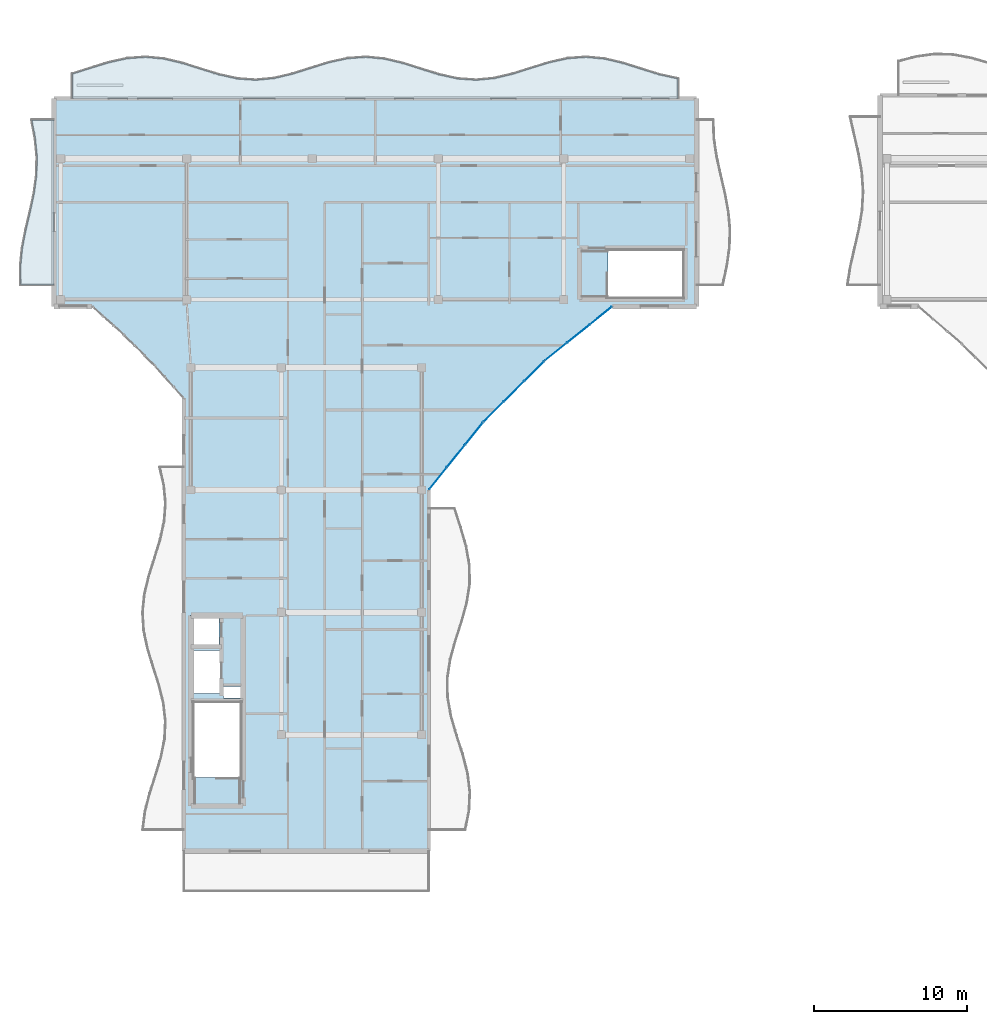
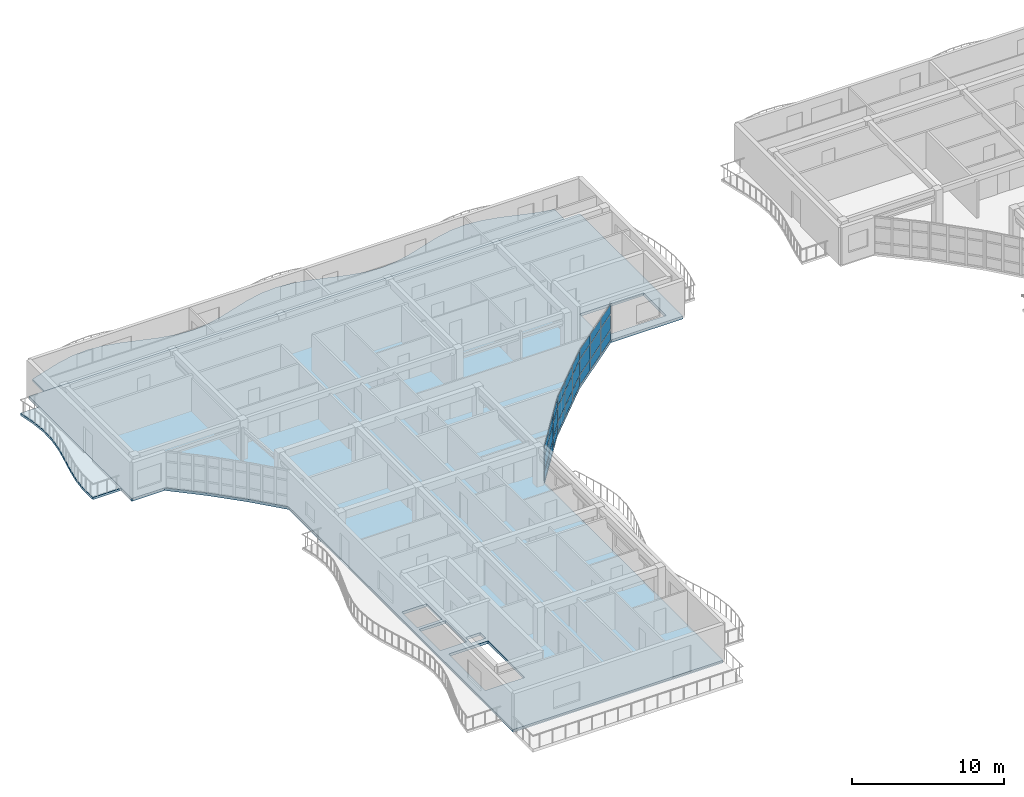
# One storey, part 21 of 49: 27 plates, 3 slabs, 3 elements without a shape of their own.
"""IFC4 building model written with IfcOpenShell, lengths in metres."""

from ifc_helpers import new_model, si_unit, direction, frame, origin, origin_2d, place, context, subcontext, project, spatial, polyline, rectangle, outline, extrude, material, layer, layer_set, type_object, element, aggregate, save


model = new_model("IFC4")

# Units and contexts
model_context = context("Model", 3, precision=1e-05, world=origin(), true_north=direction((0.0, 1.0)))
body_context = subcontext(model_context, "Body", "Model", "MODEL_VIEW")
ifc_project = project(units=[si_unit("LENGTHUNIT", "METRE"), si_unit("AREAUNIT", "SQUARE_METRE"), si_unit("VOLUMEUNIT", "CUBIC_METRE"), si_unit("PLANEANGLEUNIT", "RADIAN"), si_unit("MASSUNIT", "GRAM", prefix="KILO")], contexts=[model_context])

# Site, building, storey
site_placement = place(None, origin())
site = spatial("IfcSite", under=ifc_project, at=site_placement, CompositionType="ELEMENT")
building_placement = place(site_placement, origin())
building = spatial("IfcBuilding", under=site, at=building_placement, Name="Keldmere Railside Commons", CompositionType="ELEMENT")
storey_placement = place(building_placement, frame((0.0, 0.0, 29.760009765625)))
storey = spatial("IfcBuildingStorey", under=building, at=storey_placement, Name="L09", CompositionType="ELEMENT", Elevation=29.760009765625)

# Curtain wall, plates
ifc_material_1 = material(Name="Thermally Broken Aluminium", Category="aluminium")
ifc_layer_1 = layer(ifc_material_1, 0.159912109375, Name="Court Chord Wintergarden CW 4800x2850")
ifc_layer_set_1 = layer_set([ifc_layer_1], Name="Thermally Broken Aluminium")
curtain_wall_type_1 = type_object("IfcCurtainWallType", Name="Court Chord Wintergarden CW 4800x2850", PredefinedType="NOTDEFINED", material=ifc_layer_set_1)
curtain_wall_1_placement = place(storey_placement, origin())
curtain_wall_1 = element("IfcCurtainWall", 1, at=curtain_wall_1_placement, inside=storey, type_object=curtain_wall_type_1, Name="CW-12 CW-L09-079", PredefinedType="NOTDEFINED")
ifc_material_2 = material(Name="Low-E Insulated Double Glazing", Category="glass")
ifc_layer_2 = layer(ifc_material_2, 0.033935546875, Name="Acoustic Laminated Vision Panel 34")
ifc_layer_set_2 = layer_set([ifc_layer_2], Name="Low-E Insulated Double Glazing")
plate_type_1 = type_object("IfcPlateType", Name="Acoustic Laminated Vision Panel 34", PredefinedType="CURTAIN_PANEL", material=ifc_layer_set_2)
plate_1_placement = place(storey_placement, frame((66.951416015625, 91.678955078125, 0.06494140625), z_axis=(0.0, 0.0, 1.0), x_axis=(-0.625768080915, -0.780009172323, 0.0)))
plate_1 = element("IfcPlate", 2, at=plate_1_placement, type_object=plate_type_1, Name="CW-12 panel 1.1", PredefinedType="CURTAIN_PANEL", context=body_context, shape_type="SweptSolid", body=[
    extrude(rectangle(XDim=1.795654296875, YDim=0.033935546875, at=origin_2d()), origin(), (0.0, 0.0, 1.0), 0.802490234375),
])
plate_2_placement = place(storey_placement, frame((66.951416015625, 91.678955078125, 0.932373046875), z_axis=(0.0, 0.0, 1.0), x_axis=(-0.625768080915, -0.780009172323, 0.0)))
plate_2 = element("IfcPlate", 3, at=plate_2_placement, type_object=plate_type_1, Name="CW-12 panel 1.2", PredefinedType="CURTAIN_PANEL", context=body_context, shape_type="SweptSolid", body=[
    extrude(rectangle(XDim=1.795654296875, YDim=0.033935546875, at=origin_2d()), origin(), (0.0, 0.0, 1.0), 1.18505859375),
])
plate_3_placement = place(storey_placement, frame((66.951416015625, 91.678955078125, 2.1826171875), z_axis=(0.0, 0.0, 1.0), x_axis=(-0.625768080915, -0.780009172323, 0.0)))
plate_3 = element("IfcPlate", 4, at=plate_3_placement, type_object=plate_type_1, Name="CW-12 panel 1.3", PredefinedType="CURTAIN_PANEL", context=body_context, shape_type="SweptSolid", body=[
    extrude(rectangle(XDim=1.795654296875, YDim=0.033935546875, at=origin_2d()), origin(), (0.0, 0.0, 1.0), 0.732421875),
])
plate_4_placement = place(storey_placement, frame((65.777099609375, 90.215087890625, 0.06494140625), z_axis=(0.0, 0.0, 1.0), x_axis=(-0.625768080915, -0.780009172323, 0.0)))
plate_4 = element("IfcPlate", 5, at=plate_4_placement, type_object=plate_type_1, Name="CW-12 panel 2.1", PredefinedType="CURTAIN_PANEL", context=body_context, shape_type="SweptSolid", body=[
    extrude(rectangle(XDim=1.828125, YDim=0.033935546875, at=origin_2d()), origin(), (0.0, 0.0, 1.0), 0.802490234375),
])
plate_5_placement = place(storey_placement, frame((65.777099609375, 90.215087890625, 0.932373046875), z_axis=(0.0, 0.0, 1.0), x_axis=(-0.625768080915, -0.780009172323, 0.0)))
plate_5 = element("IfcPlate", 6, at=plate_5_placement, type_object=plate_type_1, Name="CW-12 panel 2.2", PredefinedType="CURTAIN_PANEL", context=body_context, shape_type="SweptSolid", body=[
    extrude(rectangle(XDim=1.828125, YDim=0.033935546875, at=origin_2d()), origin(), (0.0, 0.0, 1.0), 1.18505859375),
])
plate_6_placement = place(storey_placement, frame((65.777099609375, 90.215087890625, 2.1826171875), z_axis=(0.0, 0.0, 1.0), x_axis=(-0.625768080915, -0.780009172323, 0.0)))
plate_6 = element("IfcPlate", 7, at=plate_6_placement, type_object=plate_type_1, Name="CW-12 panel 2.3", PredefinedType="CURTAIN_PANEL", context=body_context, shape_type="SweptSolid", body=[
    extrude(rectangle(XDim=1.828125, YDim=0.033935546875, at=origin_2d()), origin(), (0.0, 0.0, 1.0), 0.732421875),
])
plate_7_placement = place(storey_placement, frame((64.6025390625, 88.7509765625, 0.06494140625), z_axis=(0.0, 0.0, 1.0), x_axis=(-0.625768080915, -0.780009172323, 0.0)))
plate_7 = element("IfcPlate", 8, at=plate_7_placement, type_object=plate_type_1, Name="CW-12 panel 3.1", PredefinedType="CURTAIN_PANEL", context=body_context, shape_type="SweptSolid", body=[
    extrude(rectangle(XDim=1.795654296875, YDim=0.033935546875, at=origin_2d()), origin(), (0.0, 0.0, 1.0), 0.802490234375),
])
plate_8_placement = place(storey_placement, frame((64.6025390625, 88.7509765625, 0.932373046875), z_axis=(0.0, 0.0, 1.0), x_axis=(-0.625768080915, -0.780009172323, 0.0)))
plate_8 = element("IfcPlate", 9, at=plate_8_placement, type_object=plate_type_1, Name="CW-12 panel 3.2", PredefinedType="CURTAIN_PANEL", context=body_context, shape_type="SweptSolid", body=[
    extrude(rectangle(XDim=1.795654296875, YDim=0.033935546875, at=origin_2d()), origin(), (0.0, 0.0, 1.0), 1.18505859375),
])
plate_9_placement = place(storey_placement, frame((64.6025390625, 88.7509765625, 2.1826171875), z_axis=(0.0, 0.0, 1.0), x_axis=(-0.625768080915, -0.780009172323, 0.0)))
plate_9 = element("IfcPlate", 10, at=plate_9_placement, type_object=plate_type_1, Name="CW-12 panel 3.3", PredefinedType="CURTAIN_PANEL", context=body_context, shape_type="SweptSolid", body=[
    extrude(rectangle(XDim=1.795654296875, YDim=0.033935546875, at=origin_2d()), origin(), (0.0, 0.0, 1.0), 0.732421875),
])
aggregate(curtain_wall_1, [plate_1, plate_2, plate_3, plate_4, plate_5, plate_6, plate_7, plate_8, plate_9])

ifc_layer_3 = layer(ifc_material_1, 0.159912109375, Name="Court Chord Wintergarden CW 5400x2850")
ifc_layer_set_3 = layer_set([ifc_layer_3], Name="Thermally Broken Aluminium")
curtain_wall_type_2 = type_object("IfcCurtainWallType", Name="Court Chord Wintergarden CW 5400x2850", PredefinedType="NOTDEFINED", material=ifc_layer_set_3)
curtain_wall_2_placement = place(storey_placement, origin())
curtain_wall_2 = element("IfcCurtainWall", 11, at=curtain_wall_2_placement, inside=storey, type_object=curtain_wall_type_2, Name="CW-13 CW-L09-080", PredefinedType="NOTDEFINED")
ifc_layer_4 = layer(ifc_material_2, 0.031982421875, Name="Clerestory Solar-Control Vision Panel 32")
ifc_layer_set_4 = layer_set([ifc_layer_4], Name="Low-E Insulated Double Glazing")
plate_type_2 = type_object("IfcPlateType", Name="Clerestory Solar-Control Vision Panel 32", PredefinedType="CURTAIN_PANEL", material=ifc_layer_set_4)
plate_10_placement = place(storey_placement, frame((70.88916015625, 95.76513671875, 0.06494140625), z_axis=(0.0, 0.0, 1.0), x_axis=(-0.707106781187, -0.707106781187, 0.0)))
plate_10 = element("IfcPlate", 12, at=plate_10_placement, type_object=plate_type_2, Name="CW-13 panel 1.1", PredefinedType="CURTAIN_PANEL", context=body_context, shape_type="SweptSolid", body=[
    extrude(rectangle(XDim=1.795654296875, YDim=0.031982421875, at=origin_2d()), origin(), (0.0, 0.0, 1.0), 0.802490234375),
])
plate_11_placement = place(storey_placement, frame((70.88916015625, 95.76513671875, 0.932373046875), z_axis=(0.0, 0.0, 1.0), x_axis=(-0.707106781187, -0.707106781187, 0.0)))
plate_11 = element("IfcPlate", 13, at=plate_11_placement, type_object=plate_type_2, Name="CW-13 panel 1.2", PredefinedType="CURTAIN_PANEL", context=body_context, shape_type="SweptSolid", body=[
    extrude(rectangle(XDim=1.795654296875, YDim=0.031982421875, at=origin_2d()), origin(), (0.0, 0.0, 1.0), 1.18505859375),
])
plate_12_placement = place(storey_placement, frame((70.88916015625, 95.76513671875, 2.1826171875), z_axis=(0.0, 0.0, 1.0), x_axis=(-0.707106781187, -0.707106781187, 0.0)))
plate_12 = element("IfcPlate", 14, at=plate_12_placement, type_object=plate_type_2, Name="CW-13 panel 1.3", PredefinedType="CURTAIN_PANEL", context=body_context, shape_type="SweptSolid", body=[
    extrude(rectangle(XDim=1.795654296875, YDim=0.031982421875, at=origin_2d()), origin(), (0.0, 0.0, 1.0), 0.732421875),
])
plate_13_placement = place(storey_placement, frame((69.56201171875, 94.43798828125, 0.06494140625), z_axis=(0.0, 0.0, 1.0), x_axis=(-0.707106781187, -0.707106781187, 0.0)))
plate_13 = element("IfcPlate", 15, at=plate_13_placement, type_object=plate_type_2, Name="CW-13 panel 2.1", PredefinedType="CURTAIN_PANEL", context=body_context, shape_type="SweptSolid", body=[
    extrude(rectangle(XDim=1.828125, YDim=0.031982421875, at=origin_2d()), origin(), (0.0, 0.0, 1.0), 0.802490234375),
])
plate_14_placement = place(storey_placement, frame((69.56201171875, 94.43798828125, 0.932373046875), z_axis=(0.0, 0.0, 1.0), x_axis=(-0.707106781187, -0.707106781187, 0.0)))
plate_14 = element("IfcPlate", 16, at=plate_14_placement, type_object=plate_type_2, Name="CW-13 panel 2.2", PredefinedType="CURTAIN_PANEL", context=body_context, shape_type="SweptSolid", body=[
    extrude(rectangle(XDim=1.828125, YDim=0.031982421875, at=origin_2d()), origin(), (0.0, 0.0, 1.0), 1.18505859375),
])
plate_15_placement = place(storey_placement, frame((69.56201171875, 94.43798828125, 2.1826171875), z_axis=(0.0, 0.0, 1.0), x_axis=(-0.707106781187, -0.707106781187, 0.0)))
plate_15 = element("IfcPlate", 17, at=plate_15_placement, type_object=plate_type_2, Name="CW-13 panel 2.3", PredefinedType="CURTAIN_PANEL", context=body_context, shape_type="SweptSolid", body=[
    extrude(rectangle(XDim=1.828125, YDim=0.031982421875, at=origin_2d()), origin(), (0.0, 0.0, 1.0), 0.732421875),
])
plate_16_placement = place(storey_placement, frame((68.23486328125, 93.11083984375, 0.06494140625), z_axis=(0.0, 0.0, 1.0), x_axis=(-0.707106781187, -0.707106781187, 0.0)))
plate_16 = element("IfcPlate", 18, at=plate_16_placement, type_object=plate_type_2, Name="CW-13 panel 3.1", PredefinedType="CURTAIN_PANEL", context=body_context, shape_type="SweptSolid", body=[
    extrude(rectangle(XDim=1.795654296875, YDim=0.031982421875, at=origin_2d()), origin(), (0.0, 0.0, 1.0), 0.802490234375),
])
plate_17_placement = place(storey_placement, frame((68.23486328125, 93.11083984375, 0.932373046875), z_axis=(0.0, 0.0, 1.0), x_axis=(-0.707106781187, -0.707106781187, 0.0)))
plate_17 = element("IfcPlate", 19, at=plate_17_placement, type_object=plate_type_2, Name="CW-13 panel 3.2", PredefinedType="CURTAIN_PANEL", context=body_context, shape_type="SweptSolid", body=[
    extrude(rectangle(XDim=1.795654296875, YDim=0.031982421875, at=origin_2d()), origin(), (0.0, 0.0, 1.0), 1.18505859375),
])
plate_18_placement = place(storey_placement, frame((68.23486328125, 93.11083984375, 2.1826171875), z_axis=(0.0, 0.0, 1.0), x_axis=(-0.707106781187, -0.707106781187, 0.0)))
plate_18 = element("IfcPlate", 20, at=plate_18_placement, type_object=plate_type_2, Name="CW-13 panel 3.3", PredefinedType="CURTAIN_PANEL", context=body_context, shape_type="SweptSolid", body=[
    extrude(rectangle(XDim=1.795654296875, YDim=0.031982421875, at=origin_2d()), origin(), (0.0, 0.0, 1.0), 0.732421875),
])
aggregate(curtain_wall_2, [plate_10, plate_11, plate_12, plate_13, plate_14, plate_15, plate_16, plate_17, plate_18])

curtain_wall_3_placement = place(storey_placement, origin())
curtain_wall_3 = element("IfcCurtainWall", 21, at=curtain_wall_3_placement, inside=storey, type_object=curtain_wall_type_1, Name="CW-12 CW-L09-081", PredefinedType="NOTDEFINED")
ifc_layer_5 = layer(ifc_material_2, 0.028076171875, Name="Low-E Vision Glazing Panel 28")
ifc_layer_set_5 = layer_set([ifc_layer_5], Name="Low-E Insulated Double Glazing")
plate_type_3 = type_object("IfcPlateType", Name="Low-E Vision Glazing Panel 28", PredefinedType="CURTAIN_PANEL", material=ifc_layer_set_5)
plate_19_placement = place(storey_placement, frame((75.2490234375, 99.3974609375, 0.06494140625), z_axis=(0.0, 0.0, 1.0), x_axis=(-0.780009172323, -0.625768080915, 0.0)))
plate_19 = element("IfcPlate", 22, at=plate_19_placement, type_object=plate_type_3, Name="CW-12 panel 1.1", PredefinedType="CURTAIN_PANEL", context=body_context, shape_type="SweptSolid", body=[
    extrude(rectangle(XDim=1.795654296875, YDim=0.028076171875, at=origin_2d()), origin(), (0.0, 0.0, 1.0), 0.802490234375),
])
plate_20_placement = place(storey_placement, frame((75.2490234375, 99.3974609375, 0.932373046875), z_axis=(0.0, 0.0, 1.0), x_axis=(-0.780009172323, -0.625768080915, 0.0)))
plate_20 = element("IfcPlate", 23, at=plate_20_placement, type_object=plate_type_3, Name="CW-12 panel 1.2", PredefinedType="CURTAIN_PANEL", context=body_context, shape_type="SweptSolid", body=[
    extrude(rectangle(XDim=1.795654296875, YDim=0.028076171875, at=origin_2d()), origin(), (0.0, 0.0, 1.0), 1.18505859375),
])
plate_21_placement = place(storey_placement, frame((75.2490234375, 99.3974609375, 2.1826171875), z_axis=(0.0, 0.0, 1.0), x_axis=(-0.780009172323, -0.625768080915, 0.0)))
plate_21 = element("IfcPlate", 24, at=plate_21_placement, type_object=plate_type_3, Name="CW-12 panel 1.3", PredefinedType="CURTAIN_PANEL", context=body_context, shape_type="SweptSolid", body=[
    extrude(rectangle(XDim=1.795654296875, YDim=0.028076171875, at=origin_2d()), origin(), (0.0, 0.0, 1.0), 0.732421875),
])
plate_22_placement = place(storey_placement, frame((73.784912109375, 98.222900390625, 0.06494140625), z_axis=(0.0, 0.0, 1.0), x_axis=(-0.780009172323, -0.625768080915, 0.0)))
plate_22 = element("IfcPlate", 25, at=plate_22_placement, type_object=plate_type_3, Name="CW-12 panel 2.1", PredefinedType="CURTAIN_PANEL", context=body_context, shape_type="SweptSolid", body=[
    extrude(rectangle(XDim=1.828125, YDim=0.028076171875, at=origin_2d()), origin(), (0.0, 0.0, 1.0), 0.802490234375),
])
plate_23_placement = place(storey_placement, frame((73.784912109375, 98.222900390625, 0.932373046875), z_axis=(0.0, 0.0, 1.0), x_axis=(-0.780009172323, -0.625768080915, 0.0)))
plate_23 = element("IfcPlate", 26, at=plate_23_placement, type_object=plate_type_3, Name="CW-12 panel 2.2", PredefinedType="CURTAIN_PANEL", context=body_context, shape_type="SweptSolid", body=[
    extrude(rectangle(XDim=1.828125, YDim=0.028076171875, at=origin_2d()), origin(), (0.0, 0.0, 1.0), 1.18505859375),
])
plate_24_placement = place(storey_placement, frame((73.784912109375, 98.222900390625, 2.1826171875), z_axis=(0.0, 0.0, 1.0), x_axis=(-0.780009172323, -0.625768080915, 0.0)))
plate_24 = element("IfcPlate", 27, at=plate_24_placement, type_object=plate_type_3, Name="CW-12 panel 2.3", PredefinedType="CURTAIN_PANEL", context=body_context, shape_type="SweptSolid", body=[
    extrude(rectangle(XDim=1.828125, YDim=0.028076171875, at=origin_2d()), origin(), (0.0, 0.0, 1.0), 0.732421875),
])
plate_25_placement = place(storey_placement, frame((72.321044921875, 97.048583984375, 0.06494140625), z_axis=(0.0, 0.0, 1.0), x_axis=(-0.780009172323, -0.625768080915, 0.0)))
plate_25 = element("IfcPlate", 28, at=plate_25_placement, type_object=plate_type_3, Name="CW-12 panel 3.1", PredefinedType="CURTAIN_PANEL", context=body_context, shape_type="SweptSolid", body=[
    extrude(rectangle(XDim=1.795654296875, YDim=0.028076171875, at=origin_2d()), origin(), (0.0, 0.0, 1.0), 0.802490234375),
])
plate_26_placement = place(storey_placement, frame((72.321044921875, 97.048583984375, 0.932373046875), z_axis=(0.0, 0.0, 1.0), x_axis=(-0.780009172323, -0.625768080915, 0.0)))
plate_26 = element("IfcPlate", 29, at=plate_26_placement, type_object=plate_type_3, Name="CW-12 panel 3.2", PredefinedType="CURTAIN_PANEL", context=body_context, shape_type="SweptSolid", body=[
    extrude(rectangle(XDim=1.795654296875, YDim=0.028076171875, at=origin_2d()), origin(), (0.0, 0.0, 1.0), 1.18505859375),
])
plate_27_placement = place(storey_placement, frame((72.321044921875, 97.048583984375, 2.1826171875), z_axis=(0.0, 0.0, 1.0), x_axis=(-0.780009172323, -0.625768080915, 0.0)))
plate_27 = element("IfcPlate", 30, at=plate_27_placement, type_object=plate_type_3, Name="CW-12 panel 3.3", PredefinedType="CURTAIN_PANEL", context=body_context, shape_type="SweptSolid", body=[
    extrude(rectangle(XDim=1.795654296875, YDim=0.028076171875, at=origin_2d()), origin(), (0.0, 0.0, 1.0), 0.732421875),
])
aggregate(curtain_wall_3, [plate_19, plate_20, plate_21, plate_22, plate_23, plate_24, plate_25, plate_26, plate_27])

# Slabs
ifc_material_3 = material(Name="Concrete H-30 (C30/37)", Category="concrete")
ifc_layer_6 = layer(ifc_material_3, 0.219970703125, Name="Residential Flat Slab 220")
ifc_layer_set_6 = layer_set([ifc_layer_6], Name="Concrete H-30 (C30/37)")
slab_type_1 = type_object("IfcSlabType", Name="Residential Flat Slab 220", PredefinedType="FLOOR", material=ifc_layer_set_6)
slab_1_placement = place(storey_placement, frame((0.0, 0.0, -0.219970703125)))
element("IfcSlab", 31, at=slab_1_placement, inside=storey, type_object=slab_type_1, Name="FS-2 BLKC-L09-032", PredefinedType="FLOOR", context=body_context, shape_type="SweptSolid", body=[
    extrude(outline(polyline([(48.0, 64.39990234375), (64.0, 64.39990234375), (64.0, 88.0), (67.553955078125, 92.429931640625), (71.570068359375, 96.446044921875), (76.0, 100.0), (81.5, 100.0), (81.5, 113.60009765625), (39.5, 113.60009765625), (39.5, 100.0), (42.0, 100.0), (44.10791015625, 98.110107421875), (46.110107421875, 96.10791015625), (48.0, 94.0), (48.0, 64.39990234375)]), holes=[polyline([(51.675048828125, 74.074951171875), (51.675048828125, 69.22509765625), (48.675048828125, 69.22509765625), (48.675048828125, 74.074951171875), (51.675048828125, 74.074951171875)]), polyline([(51.699951171875, 74.419921875), (50.60009765625, 74.419921875), (50.60009765625, 75.159912109375), (51.699951171875, 75.159912109375), (51.699951171875, 74.419921875)]), polyline([(50.39990234375, 74.699951171875), (48.39990234375, 74.699951171875), (48.39990234375, 77.5), (50.39990234375, 77.5), (50.39990234375, 74.699951171875)]), polyline([(50.300048828125, 77.75), (48.39990234375, 77.75), (48.39990234375, 79.800048828125), (50.300048828125, 79.800048828125), (50.300048828125, 77.75)]), polyline([(75.72509765625, 100.625), (75.72509765625, 103.625), (80.574951171875, 103.625), (80.574951171875, 100.625), (75.72509765625, 100.625)])]), origin(), (0.0, 0.0, 1.0), 0.219970703125),
])
ifc_material_4 = material(Name="White Precast Concrete H-35 (C35/45)", Category="concrete")
ifc_layer_7 = layer(ifc_material_4, 0.179931640625, Name="Sinusoidal Wave Balcony Slab 180")
ifc_layer_set_7 = layer_set([ifc_layer_7], Name="White Precast Concrete H-35 (C35/45)")
slab_type_2 = type_object("IfcSlabType", Name="Sinusoidal Wave Balcony Slab 180", PredefinedType="FLOOR", material=ifc_layer_set_7)
slab_2_placement = place(storey_placement, frame((0.0, 0.0, -0.179931640625)))
element("IfcSlab", 32, at=slab_2_placement, inside=storey, type_object=slab_type_2, Name="WB-1 C L09 N Wave Balcony", PredefinedType="FLOOR", context=body_context, shape_type="SweptSolid", body=[
    extrude(outline(polyline([(40.699951171875, 113.60009765625), (41.89990234375, 113.60009765625), (43.10009765625, 113.60009765625), (44.300048828125, 113.60009765625), (45.5, 113.60009765625), (46.699951171875, 113.60009765625), (47.89990234375, 113.60009765625), (49.10009765625, 113.60009765625), (50.300048828125, 113.60009765625), (51.5, 113.60009765625), (52.699951171875, 113.60009765625), (53.89990234375, 113.60009765625), (55.10009765625, 113.60009765625), (56.300048828125, 113.60009765625), (57.5, 113.60009765625), (58.699951171875, 113.60009765625), (59.89990234375, 113.60009765625), (61.10009765625, 113.60009765625), (62.300048828125, 113.60009765625), (63.5, 113.60009765625), (64.699951171875, 113.60009765625), (65.89990234375, 113.60009765625), (67.10009765625, 113.60009765625), (68.300048828125, 113.60009765625), (69.5, 113.60009765625), (70.699951171875, 113.60009765625), (71.89990234375, 113.60009765625), (73.10009765625, 113.60009765625), (74.300048828125, 113.60009765625), (75.5, 113.60009765625), (76.699951171875, 113.60009765625), (77.89990234375, 113.60009765625), (79.10009765625, 113.60009765625), (80.300048828125, 113.60009765625), (80.300048828125, 114.885986328125), (79.10009765625, 115.149169921875), (77.89990234375, 115.519775390625), (76.699951171875, 115.8984375), (75.5, 116.183837890625), (74.300048828125, 116.29931640625), (73.10009765625, 116.214111328125), (71.89990234375, 115.950927734375), (70.699951171875, 115.580322265625), (69.5, 115.201416015625), (68.300048828125, 114.916259765625), (67.10009765625, 114.800537109375), (65.89990234375, 114.885986328125), (64.699951171875, 115.149169921875), (63.5, 115.519775390625), (62.300048828125, 115.8984375), (61.10009765625, 116.183837890625), (59.89990234375, 116.29931640625), (58.699951171875, 116.214111328125), (57.5, 115.950927734375), (56.300048828125, 115.580322265625), (55.10009765625, 115.201416015625), (53.89990234375, 114.916259765625), (52.699951171875, 114.800537109375), (51.5, 114.885986328125), (50.300048828125, 115.149169921875), (49.10009765625, 115.519775390625), (47.89990234375, 115.8984375), (46.699951171875, 116.183837890625), (45.5, 116.29931640625), (44.300048828125, 116.214111328125), (43.10009765625, 115.950927734375), (41.89990234375, 115.580322265625), (40.699951171875, 115.201416015625), (40.699951171875, 113.60009765625)])), origin(), (0.0, 0.0, 1.0), 0.179931640625),
])
slab_3_placement = place(storey_placement, frame((0.0, 0.0, -0.179931640625)))
element("IfcSlab", 33, at=slab_3_placement, inside=storey, type_object=slab_type_2, Name="WB-1 C L09 WW Wave Balcony", PredefinedType="FLOOR", context=body_context, shape_type="SweptSolid", body=[
    extrude(outline(polyline([(39.5, 101.39990234375), (39.5, 102.60009765625), (39.5, 103.800048828125), (39.5, 105.0), (39.5, 106.199951171875), (39.5, 107.39990234375), (39.5, 108.60009765625), (39.5, 109.800048828125), (39.5, 111.0), (39.5, 112.199951171875), (38.04052734375, 112.199951171875), (38.273193359375, 111.0), (38.39208984375, 109.800048828125), (38.365966796875, 108.60009765625), (38.201416015625, 107.39990234375), (37.94287109375, 106.199951171875), (37.659423828125, 105.0), (37.427001953125, 103.800048828125), (37.307861328125, 102.60009765625), (37.333984375, 101.39990234375), (39.5, 101.39990234375)])), origin(), (0.0, 0.0, 1.0), 0.179931640625),
])

save(model, "model.ifc")
